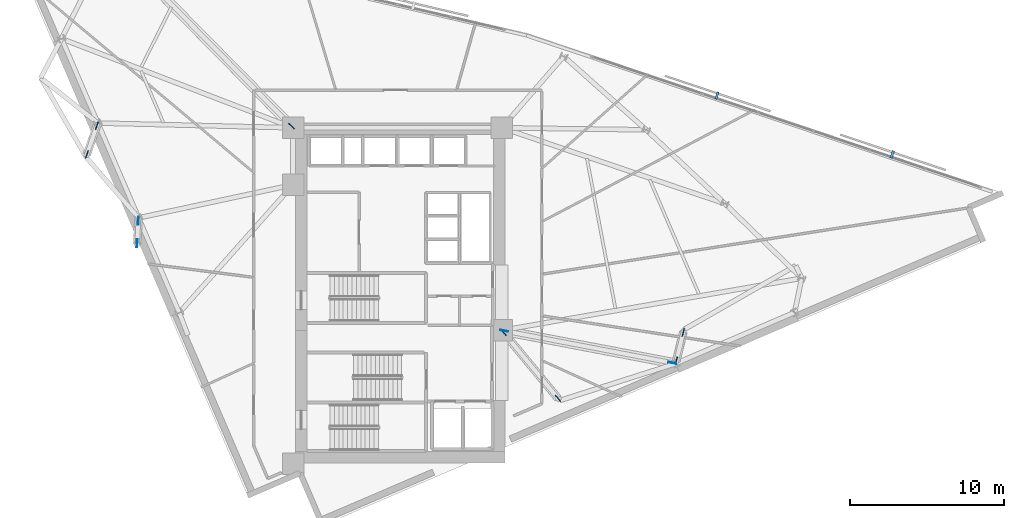
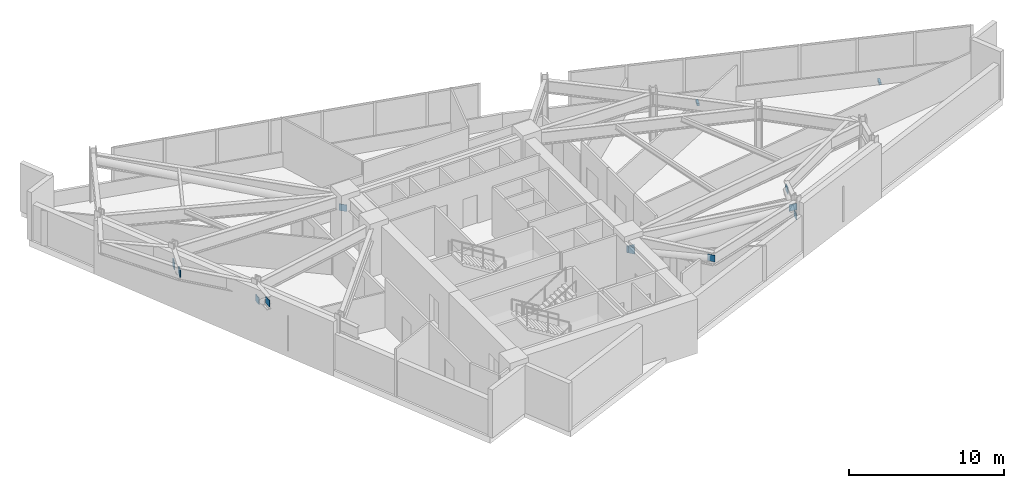
# One storey, part 11 of 14: 13 discrete accessories.
"""IFC4 building model written with IfcOpenShell, lengths in metres."""

import ifcopenshell
import ifcopenshell.guid

model = None  # the IFC model being written
_history = None  # IfcOwnerHistory: only IFC2X3 demands one
_inside = {}  # id of a spatial element -> (the spatial element, [elements in it])
_under = {}  # id of a project, library or spatial element -> (it, [spatial elements below it])
_declared = {}  # id of a project -> (the project, [libraries it declares])
_typed = {}  # id of a type object -> (the type object, [elements of that type])
_made_of = {}  # id of a material, layer set ... -> (it, [elements and type objects made of it])


def new_model(schema):
    """Start an empty IFC model of exactly this schema.

    Asked for "IFC4X3", IfcOpenShell would pick the latest addendum, in which some entities
    have other attributes; the version numbers below select the first issue.
    IFC2X3 requires an IfcOwnerHistory on every rooted entity: one is made here for all.
    """
    global model, _history
    if schema == "IFC4X3":
        model = ifcopenshell.file(schema_version=(4, 3, 0, 0))
    else:
        model = ifcopenshell.file(schema=schema)
    _inside.clear()
    _under.clear()
    _declared.clear()
    _typed.clear()
    _made_of.clear()
    _history = None
    if model.schema == "IFC2X3":
        org = make("IfcOrganization", Name="unknown")
        user = make(
            "IfcPersonAndOrganization",
            ThePerson=make("IfcPerson", FamilyName="unknown"),
            TheOrganization=org,
        )
        app = make(
            "IfcApplication",
            ApplicationDeveloper=org,
            Version="unknown",
            ApplicationFullName="unknown",
            ApplicationIdentifier="unknown",
        )
        _history = make(
            "IfcOwnerHistory",
            OwningUser=user,
            OwningApplication=app,
            ChangeAction="ADDED",
            CreationDate=0,
        )
    return model


def make(cls, **values):
    """One entity of the class cls with the attributes given. An attribute that is None is left unset."""
    return model.create_entity(
        cls, **{name: value for name, value in values.items() if value is not None}
    )


def rooted(cls, **values):
    """An entity with a GlobalId (a new one), such as an element, a storey or a relation."""
    return make(cls, GlobalId=ifcopenshell.guid.new(), OwnerHistory=_history, **values)


def si_unit(unit_type, name, prefix=None):
    """IfcSIUnit, for example si_unit("LENGTHUNIT", "METRE", prefix="MILLI")."""
    return make("IfcSIUnit", UnitType=unit_type, Prefix=prefix, Name=name)


def assignment(units):
    """IfcUnitAssignment: the units of a project."""
    return None if units is None else make("IfcUnitAssignment", Units=units)


def point(xyz):
    """IfcCartesianPoint."""
    return None if xyz is None else make("IfcCartesianPoint", Coordinates=xyz)


def direction(xyz):
    """IfcDirection."""
    return None if xyz is None else make("IfcDirection", DirectionRatios=xyz)


def frame(location, z_axis=None, x_axis=None):
    """IfcAxis2Placement3D, a coordinate frame: its origin and axes. An axis left out is left unset."""
    return make(
        "IfcAxis2Placement3D",
        Location=point(location),
        Axis=direction(z_axis),
        RefDirection=direction(x_axis),
    )


def frame_2d(location, x_axis=None):
    """IfcAxis2Placement2D, a coordinate frame in the plane: its origin and x axis."""
    return make(
        "IfcAxis2Placement2D", Location=point(location), RefDirection=direction(x_axis)
    )


def origin():
    """The frame at (0, 0, 0) with its axes left unset."""
    return frame((0.0, 0.0, 0.0))


def origin_2d():
    """The frame at (0, 0) in the plane with its x axis left unset."""
    return frame_2d((0.0, 0.0))


def place(relative_to, where):
    """IfcLocalPlacement: puts the frame where relative to a parent placement (None: the world)."""
    return make(
        "IfcLocalPlacement", PlacementRelTo=relative_to, RelativePlacement=where
    )


def context(
    kind, dimensions, precision=None, world=None, true_north=None, identifier=None
):
    """IfcGeometricRepresentationContext, for example the 3D "Model" context."""
    return make(
        "IfcGeometricRepresentationContext",
        ContextIdentifier=identifier,
        ContextType=kind,
        CoordinateSpaceDimension=dimensions,
        Precision=precision,
        WorldCoordinateSystem=world,
        TrueNorth=true_north,
    )


def subcontext(parent, identifier, kind, view, scale=None):
    """IfcGeometricRepresentationSubContext, for example "Body" below "Model"."""
    return make(
        "IfcGeometricRepresentationSubContext",
        ContextIdentifier=identifier,
        ContextType=kind,
        ParentContext=parent,
        TargetScale=scale,
        TargetView=view,
    )


def project(units=None, contexts=None):
    """IfcProject with its units and contexts."""
    return rooted(
        "IfcProject",
        Name="project",
        RepresentationContexts=contexts,
        UnitsInContext=assignment(units),
    )


def spatial(cls, under=None, at=None, **own):
    """A site, building, storey or space (cls), placed at a placement, below another one or the project."""
    s = rooted(cls, ObjectPlacement=at, **own)
    if under is not None:
        _under.setdefault(under.id(), (under, []))[1].append(s)
    return s


def profile(cls, at=None, kind="AREA", **sizes):
    """A parametric profile (cls). Its sizes go by their IFC names, for example OverallWidth=200.0."""
    return make(cls, ProfileType=kind, Position=at, **sizes)


def rectangle(**sizes):
    """IfcRectangleProfileDef."""
    return profile("IfcRectangleProfileDef", **sizes)


def extrude(swept, where, along, depth):
    """IfcExtrudedAreaSolid: the profile swept, set in the frame where, extruded along a direction by depth."""
    return make(
        "IfcExtrudedAreaSolid",
        SweptArea=swept,
        Position=where,
        ExtrudedDirection=direction(along),
        Depth=depth,
    )


def shape(context_of_items, identifier, shape_type, items):
    """IfcShapeRepresentation: the items that make up one representation, for example the "Body"."""
    return make(
        "IfcShapeRepresentation",
        ContextOfItems=context_of_items,
        RepresentationIdentifier=identifier,
        RepresentationType=shape_type,
        Items=items,
    )


def material(Name=None, Category=None):
    """IfcMaterial."""
    return make("IfcMaterial", Name=Name, Category=Category)


def made_of(thing, what):
    """Note that an element or type object is made of a material, layer set ...; save() writes the relation."""
    if what is not None:
        _made_of.setdefault(what.id(), (what, []))[1].append(thing)
    return thing


def type_object(cls, material=None, **own):
    """A type object (cls), such as IfcWallType, which elements share."""
    return made_of(rooted(cls, **own), material)


def element(
    cls,
    number,
    at=None,
    inside=None,
    cuts=None,
    type_object=None,
    material=None,
    context=None,
    identifier="Body",
    shape_type=None,
    held_by="IfcProductDefinitionShape",
    body=None,
    shapes=None,
    **own,
):
    """One element of the class cls, such as IfcWall. Its Tag is "e" and its number.

    at: its placement. inside: the storey or other place that contains it. cuts: it is an
    opening in that element (IfcRelVoidsElement). A single representation is given by context,
    identifier, shape_type and body (its items); several are given by shapes. held_by: the class
    of the entity that holds the representations. save() writes the other relations.
    """
    e = rooted(cls, Tag="e%d" % number, ObjectPlacement=at, **own)
    if body is not None:
        shapes = [shape(context, identifier, shape_type, body)]
    if shapes is not None:
        e.Representation = make(held_by, Representations=shapes)
    if inside is not None:
        _inside.setdefault(inside.id(), (inside, []))[1].append(e)
    if cuts is not None:
        rooted(
            "IfcRelVoidsElement", RelatingBuildingElement=cuts, RelatedOpeningElement=e
        )
    if type_object is not None:
        _typed.setdefault(type_object.id(), (type_object, []))[1].append(e)
    return made_of(e, material)


def aggregate(whole, parts):
    """IfcRelAggregates: a whole, such as a stair, and the parts it consists of."""
    return rooted("IfcRelAggregates", RelatingObject=whole, RelatedObjects=parts)


def save(model, path):
    """Write the relations noted so far, then the file.

    IfcRelAggregates (storeys below a building ...), IfcRelContainedInSpatialStructure (elements
    in a storey), IfcRelDefinesByType, IfcRelAssociatesMaterial and IfcRelDeclares: one each for
    every whole, place, type object, material and project.
    """
    for whole, parts in _under.values():
        aggregate(whole, parts)
    for where, things in _inside.values():
        rooted(
            "IfcRelContainedInSpatialStructure",
            RelatedElements=things,
            RelatingStructure=where,
        )
    for kind, things in _typed.values():
        rooted("IfcRelDefinesByType", RelatedObjects=things, RelatingType=kind)
    for what, things in _made_of.values():
        rooted("IfcRelAssociatesMaterial", RelatedObjects=things, RelatingMaterial=what)
    for by, libraries in _declared.values():
        rooted("IfcRelDeclares", RelatingContext=by, RelatedDefinitions=libraries)
    model.write(path)


model = new_model("IFC4")

# Units and contexts
model_context = context("Model", 3, precision=1e-05, world=origin(), true_north=direction((0.0, 1.0)))
body_context = subcontext(model_context, "Body", "Model", "MODEL_VIEW")
ifc_project = project(units=[si_unit("LENGTHUNIT", "METRE"), si_unit("AREAUNIT", "SQUARE_METRE"), si_unit("VOLUMEUNIT", "CUBIC_METRE"), si_unit("PLANEANGLEUNIT", "RADIAN"), si_unit("MASSUNIT", "GRAM", prefix="KILO")], contexts=[model_context])

# Site, building, storey
site_placement = place(None, origin())
site = spatial("IfcSite", under=ifc_project, at=site_placement, CompositionType="ELEMENT")
building_placement = place(site_placement, origin())
building = spatial("IfcBuilding", under=site, at=building_placement, Name="Narakoshi Arena Tower", CompositionType="ELEMENT")
storey_placement = place(building_placement, frame((0.0, 0.0, 196.699951171875)))
storey = spatial("IfcBuildingStorey", under=building, at=storey_placement, Name="L53", CompositionType="ELEMENT", Elevation=196.699951171875)

# Discrete accessories
ifc_material_1 = material(Name="Structural steel S355J2", Category="steel")
discrete_accessory_type_1 = type_object("IfcDiscreteAccessoryType", Name="ACC-BRK-SCR", PredefinedType="BRACKET", material=ifc_material_1)
for number, where, z_axis, x_axis, name in (
    (1, (110.88720703125, 54.7705078125, -0.080078125), (0.0, 0.0, 1.0), (-0.948001964735, 0.318264473134, 0.0), "L53 Solar Screen Support Bracket SHD-L53-PLV1-1"),
    (2, (99.510986328125, 58.589599609375, -0.080078125), (0.0, 0.0, 1.0), (-0.948001964735, 0.318264473134, 0.0), "L53 Solar Screen Support Bracket SHD-L53-PLV1-2"),
):
    element("IfcDiscreteAccessory", number, at=place(storey_placement, frame(where, z_axis=z_axis, x_axis=x_axis)), inside=storey, type_object=discrete_accessory_type_1, Name=name, PredefinedType="BRACKET", context=body_context, shape_type="SweptSolid", body=[
        extrude(rectangle(XDim=0.159912109375, YDim=0.5, at=origin_2d()), origin(), (0.0, 0.0, 1.0), 0.199951171875),
    ])
ifc_material_2 = material(Name="Structural steel S460ML", Category="steel")
discrete_accessory_type_2 = type_object("IfcDiscreteAccessoryType", Name="ACC-GUS-PLT", PredefinedType="BRACKET", material=ifc_material_2)
for number, where, z_axis, x_axis, name in (
    (3, (85.66455078125, 43.211181640625, 2.2900390625), (0.0, 0.0, 1.0), (-0.63675134747, 0.771069206683, 0.0), "L53 Brace Node Gusset Plate 0166"),
    (4, (89.193359375, 38.9375, 3.0361328125), (0.0, 0.0, 1.0), (-0.63675134747, 0.771069206683, 0.0), "L53 Brace Node Gusset Plate 0167"),
    (5, (96.872802734375, 41.375, 2.2900390625), (0.0, 0.0, 1.0), (0.236498997024, 0.971631732915, 0.0), "L53 Brace Node Gusset Plate 0168"),
    (6, (97.32421875, 43.229736328125, 3.0361328125), (0.0, 0.0, 1.0), (0.236498997024, 0.971631732915, 0.0), "L53 Brace Node Gusset Plate 0169"),
    (7, (59.267333984375, 56.63720703125, 2.2900390625), (0.0, 0.0, 1.0), (0.327052969298, 0.945006008062, 0.0), "L53 Brace Node Gusset Plate 0170"),
    (8, (58.62158203125, 54.77099609375, 3.0361328125), (0.0, 0.0, 1.0), (0.327052969298, 0.945006008062, 0.0), "L53 Brace Node Gusset Plate 0171"),
    (9, (61.96044921875, 50.472900390625, 2.2900390625), (0.0, 0.0, 1.0), (0.055821504993, 0.998440764182, 0.0), "L53 Brace Node Gusset Plate 0172"),
    (10, (61.878173828125, 48.99755859375, 3.0361328125), (0.0, 0.0, 1.0), (0.055821504993, 0.998440764182, 0.0), "L53 Brace Node Gusset Plate 0173"),
    (11, (85.697265625, 43.322021484375, 2.340087890625), (0.0, 0.0, 1.0), (-0.982319939976, 0.187209870265, 0.0), "L53 Brace Node Gusset Plate 0174"),
    (12, (96.614013671875, 41.2412109375, 3.0361328125), (0.0, 0.0, 1.0), (-0.982319939976, 0.187209870265, 0.0), "L53 Brace Node Gusset Plate 0175"),
    (13, (71.894775390625, 56.606689453125, 2.340087890625), (0.0, 0.0, 1.0), (-0.702028770313, 0.712148583972, 0.0), "L53 Brace Node Gusset Plate 0176"),
):
    element("IfcDiscreteAccessory", number, at=place(storey_placement, frame(where, z_axis=z_axis, x_axis=x_axis)), inside=storey, type_object=discrete_accessory_type_2, Name=name, PredefinedType="BRACKET", context=body_context, shape_type="SweptSolid", body=[
        extrude(rectangle(XDim=0.52001953125, YDim=0.050048828125, at=origin_2d()), origin(), (0.0, 0.0, 1.0), 0.52001953125),
    ])

save(model, "model.ifc")
